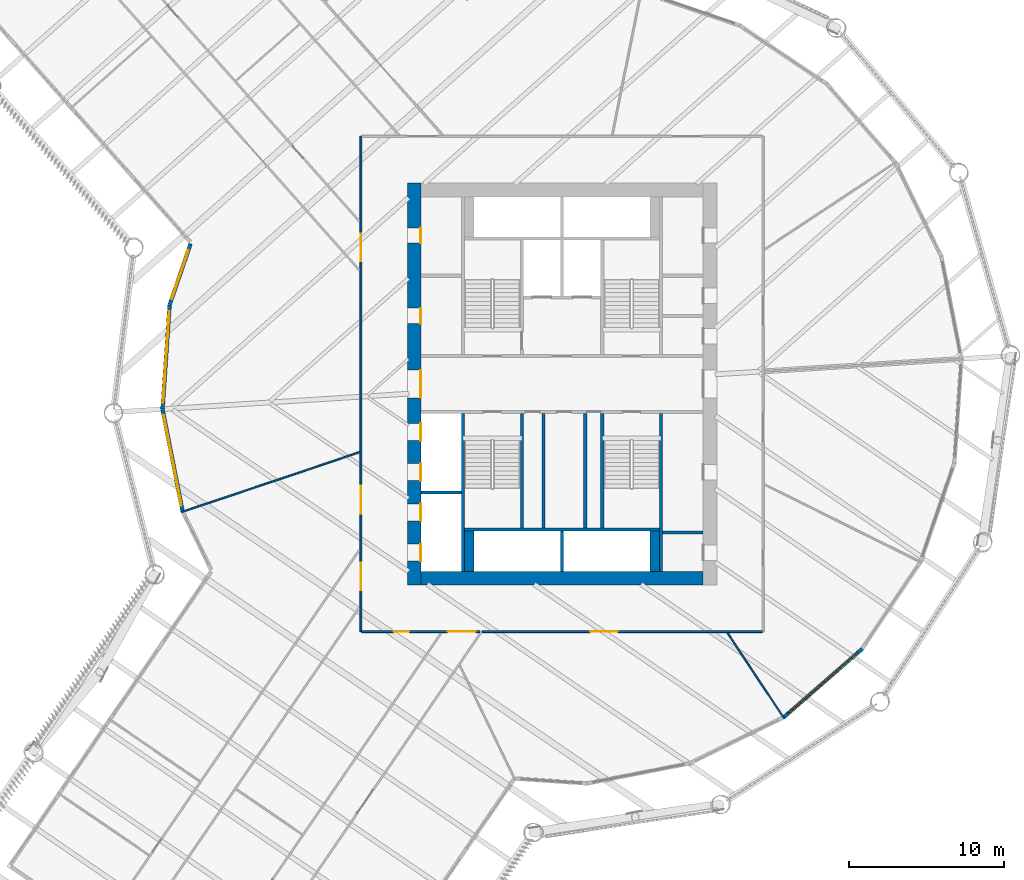
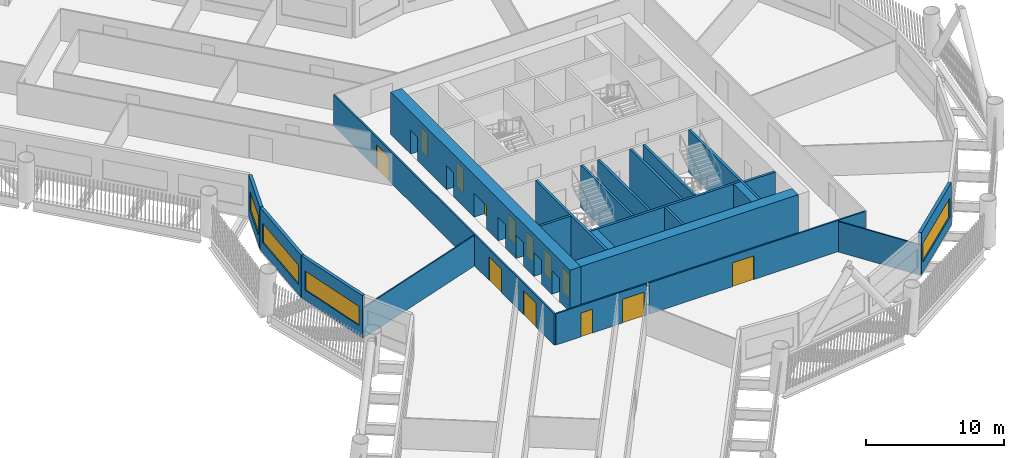
# One storey, part 4 of 22: 23 walls, 13 doors, 4 windows, 17 openings.
"""IFC4 building model written with IfcOpenShell, lengths in metres."""

from ifc_helpers import new_model, si_unit, direction, frame, frame_2d, origin, place, context, subcontext, project, spatial, rectangle, extrude, material, layer, layer_set, type_object, element, fill, save


model = new_model("IFC4")

# Units and contexts
model_context = context("Model", 3, precision=1e-05, world=origin(), true_north=direction((0.0, 1.0)))
body_context = subcontext(model_context, "Body", "Model", "MODEL_VIEW")
ifc_project = project(units=[si_unit("LENGTHUNIT", "METRE"), si_unit("AREAUNIT", "SQUARE_METRE"), si_unit("VOLUMEUNIT", "CUBIC_METRE"), si_unit("PLANEANGLEUNIT", "RADIAN"), si_unit("MASSUNIT", "GRAM", prefix="KILO")], contexts=[model_context])

# Site, building, storey
site_placement = place(None, origin())
site = spatial("IfcSite", under=ifc_project, at=site_placement, CompositionType="ELEMENT")
building_placement = place(site_placement, origin())
building = spatial("IfcBuilding", under=site, at=building_placement, Name="Tarsis Ring Headquarters", CompositionType="ELEMENT")
storey_placement = place(building_placement, frame((0.0, 0.0, 55.60009765625)))
storey = spatial("IfcBuildingStorey", under=building, at=storey_placement, Name="L11", CompositionType="ELEMENT", Elevation=55.60009765625)

# Walls
ifc_material_1 = material(Name="Blockwork", Category="masonry")
ifc_layer_1 = layer(ifc_material_1, 0.199951171875)
ifc_layer_set_1 = layer_set([ifc_layer_1], Name="Core blockwork wall 200")
wall_type_1 = type_object("IfcWallType", Name="Core blockwork wall 200", PredefinedType="PARTITIONING", material=ifc_layer_set_1)
wall_1_placement = place(storey_placement, frame((6.5, -9.60009765625, 0.0), z_axis=(0.0, 0.0, 1.0), x_axis=(1.0, 0.0, 0.0)))
element("IfcWall", 1, at=wall_1_placement, inside=storey, type_object=wall_type_1, Name="Core partition ED1", PredefinedType="PARTITIONING", context=body_context, shape_type="SweptSolid", body=[
    extrude(rectangle(XDim=2.60009765625, YDim=0.199951171875, at=frame_2d((1.300048828125, 0.0))), origin(), (0.0, 0.0, 1.0), 3.739990234375),
])
for number, where, z_axis, x_axis, name in (
    (2, (-1.199951171875, -9.300048828125, 0.0), (0.0, 0.0, 1.0), (0.0, 1.0, 0.0), "Core partition SV1"),
    (3, (1.5, -9.300048828125, 0.0), (0.0, 0.0, 1.0), (0.0, 1.0, 0.0), "Core partition SV2"),
):
    element("IfcWall", number, at=place(storey_placement, frame(where, z_axis=z_axis, x_axis=x_axis)), inside=storey, type_object=wall_type_1, Name=name, PredefinedType="PARTITIONING", context=body_context, shape_type="SweptSolid", body=[
        extrude(rectangle(XDim=7.400146484375, YDim=0.199951171875, at=frame_2d((3.7001953125, 0.0))), origin(), (0.0, 0.0, 1.0), 3.739990234375),
    ])

# Wall, openings, doors
ifc_material_2 = material(Name="Concrete C60/75", Category="concrete")
ifc_layer_2 = layer(ifc_material_2, 0.89990234375)
ifc_layer_set_2 = layer_set([ifc_layer_2], Name="Core wall 900 C60/75")
wall_type_2 = type_object("IfcWallType", Name="Core wall 900 C60/75", PredefinedType="SHEAR", material=ifc_layer_set_2)
wall_2_placement = place(storey_placement, frame((-9.550048828125, -13.0, 0.0), z_axis=(0.0, 0.0, 1.0), x_axis=(0.0, 1.0, 0.0)))
wall_2 = element("IfcWall", 4, at=wall_2_placement, inside=storey, type_object=wall_type_2, Name="Core wall OW", PredefinedType="SHEAR", context=body_context, shape_type="SweptSolid", body=[
    extrude(rectangle(XDim=26.0, YDim=0.89990234375, at=frame_2d((13.0, 0.0))), origin(), (0.0, 0.0, 1.0), 3.739990234375),
])
opening_1_placement = place(wall_2_placement, frame((1.550048828125, 0.0, 0.0)))
opening_1 = element("IfcOpeningElement", 5, at=opening_1_placement, cuts=wall_2, Name="Opening LD-LR1", PredefinedType="OPENING", context=body_context, shape_type="SweptSolid", body=[
    extrude(rectangle(XDim=1.10009765625, YDim=2.10009765625, at=frame_2d((0.550048828125, 1.050048828125))), frame((0.0, 0.4599609375, 0.0), z_axis=(0.0, -1.0, 0.0), x_axis=(1.0, 0.0, 0.0)), (0.0, 0.0, 1.0), 0.919921875),
])
opening_2_placement = place(wall_2_placement, frame((4.14990234375, 0.0, 0.0)))
opening_2 = element("IfcOpeningElement", 6, at=opening_2_placement, cuts=wall_2, Name="Opening LD-LR2", PredefinedType="OPENING", context=body_context, shape_type="SweptSolid", body=[
    extrude(rectangle(XDim=1.10009765625, YDim=2.10009765625, at=frame_2d((0.550048828125, 1.050048828125))), frame((0.0, 0.4599609375, 0.0), z_axis=(0.0, -1.0, 0.0), x_axis=(1.0, 0.0, 0.0)), (0.0, 0.0, 1.0), 0.919921875),
])
opening_3_placement = place(wall_2_placement, frame((6.75, 0.0, 0.0)))
opening_3 = element("IfcOpeningElement", 7, at=opening_3_placement, cuts=wall_2, Name="Opening LD-LR3", PredefinedType="OPENING", context=body_context, shape_type="SweptSolid", body=[
    extrude(rectangle(XDim=1.10009765625, YDim=2.10009765625, at=frame_2d((0.550048828125, 1.050048828125))), frame((0.0, 0.4599609375, 0.0), z_axis=(0.0, -1.0, 0.0), x_axis=(1.0, 0.0, 0.0)), (0.0, 0.0, 1.0), 0.919921875),
])
opening_4_placement = place(wall_2_placement, frame((9.35009765625, 0.0, 0.0)))
opening_4 = element("IfcOpeningElement", 8, at=opening_4_placement, cuts=wall_2, Name="Opening LD-LR4", PredefinedType="OPENING", context=body_context, shape_type="SweptSolid", body=[
    extrude(rectangle(XDim=1.10009765625, YDim=2.10009765625, at=frame_2d((0.550048828125, 1.050048828125))), frame((0.0, 0.4599609375, 0.0), z_axis=(0.0, -1.0, 0.0), x_axis=(1.0, 0.0, 0.0)), (0.0, 0.0, 1.0), 0.919921875),
])
opening_5_placement = place(wall_2_placement, frame((12.10009765625, 0.0, 0.0)))
opening_5 = element("IfcOpeningElement", 9, at=opening_5_placement, cuts=wall_2, Name="Opening L11-C05", PredefinedType="OPENING", context=body_context, shape_type="SweptSolid", body=[
    extrude(rectangle(XDim=1.800048828125, YDim=2.10009765625, at=frame_2d((0.89990234375, 1.050048828125))), frame((0.0, 0.4599609375, 0.0), z_axis=(0.0, -1.0, 0.0), x_axis=(1.0, 0.0, 0.0)), (0.0, 0.0, 1.0), 0.919921875),
])
opening_6_placement = place(wall_2_placement, frame((16.89990234375, 0.0, 0.0)))
opening_6 = element("IfcOpeningElement", 10, at=opening_6_placement, cuts=wall_2, Name="Opening L11-C06", PredefinedType="OPENING", context=body_context, shape_type="SweptSolid", body=[
    extrude(rectangle(XDim=1.0, YDim=2.10009765625, at=frame_2d((0.5, 1.050048828125))), frame((0.0, 0.4599609375, 0.0), z_axis=(0.0, -1.0, 0.0), x_axis=(1.0, 0.0, 0.0)), (0.0, 0.0, 1.0), 0.919921875),
])
opening_7_placement = place(wall_2_placement, frame((22.10009765625, 0.0, 0.0)))
opening_7 = element("IfcOpeningElement", 11, at=opening_7_placement, cuts=wall_2, Name="Opening L11-C07", PredefinedType="OPENING", context=body_context, shape_type="SweptSolid", body=[
    extrude(rectangle(XDim=1.0, YDim=2.10009765625, at=frame_2d((0.5, 1.050048828125))), frame((0.0, 0.4599609375, 0.0), z_axis=(0.0, -1.0, 0.0), x_axis=(1.0, 0.0, 0.0)), (0.0, 0.0, 1.0), 0.919921875),
])
ifc_material_3 = material(Name="Steel S355", Category="steel")
door_type_1 = type_object("IfcDoorType", Name="Core entry door 1800x2100", OperationType="DOUBLE_DOOR_SINGLE_SWING", PredefinedType="DOOR", material=ifc_material_3)
door_1_placement = place(opening_5_placement, origin())
door_1 = element("IfcDoor", 12, at=door_1_placement, inside=storey, type_object=door_type_1, Name="Core entry door L11", OperationType="DOUBLE_DOOR_SINGLE_SWING", OverallHeight=2.10009765625, OverallWidth=1.800048828125, PredefinedType="DOOR", context=body_context, shape_type="SweptSolid", body=[
    extrude(rectangle(XDim=1.800048828125, YDim=2.10009765625, at=frame_2d((0.89990234375, 1.050048828125))), frame((0.0, -0.39990234375, 0.0), z_axis=(0.0, -1.0, 0.0), x_axis=(1.0, 0.0, 0.0)), (0.0, 0.0, 1.0), 0.050048828125),
])
fill(opening_5, door_1)
door_type_2 = type_object("IfcDoorType", Name="Core room door 1000x2100", OperationType="SINGLE_SWING_LEFT", PredefinedType="DOOR", material=ifc_material_3)
door_2_placement = place(opening_6_placement, origin())
door_2 = element("IfcDoor", 13, at=door_2_placement, inside=storey, type_object=door_type_2, Name="Core room door L11", OperationType="SINGLE_SWING_LEFT", OverallHeight=2.10009765625, OverallWidth=1.0, PredefinedType="DOOR", context=body_context, shape_type="SweptSolid", body=[
    extrude(rectangle(XDim=1.0, YDim=2.10009765625, at=frame_2d((0.5, 1.050048828125))), frame((0.0, -0.39990234375, 0.0), z_axis=(0.0, -1.0, 0.0), x_axis=(1.0, 0.0, 0.0)), (0.0, 0.0, 1.0), 0.050048828125),
])
fill(opening_6, door_2)
door_3_placement = place(opening_7_placement, origin())
door_3 = element("IfcDoor", 14, at=door_3_placement, inside=storey, type_object=door_type_2, Name="Core room door L11", OperationType="SINGLE_SWING_LEFT", OverallHeight=2.10009765625, OverallWidth=1.0, PredefinedType="DOOR", context=body_context, shape_type="SweptSolid", body=[
    extrude(rectangle(XDim=1.0, YDim=2.10009765625, at=frame_2d((0.5, 1.050048828125))), frame((0.0, -0.39990234375, 0.0), z_axis=(0.0, -1.0, 0.0), x_axis=(1.0, 0.0, 0.0)), (0.0, 0.0, 1.0), 0.050048828125),
])
fill(opening_7, door_3)
door_type_3 = type_object("IfcDoorType", Name="Landing door 1100x2100", OperationType="SLIDING_TO_LEFT", PredefinedType="DOOR", material=ifc_material_3)
door_4_placement = place(opening_1_placement, origin())
door_4 = element("IfcDoor", 15, at=door_4_placement, inside=storey, type_object=door_type_3, Name="Landing door LR1 L11", OperationType="SLIDING_TO_LEFT", OverallHeight=2.10009765625, OverallWidth=1.10009765625, PredefinedType="DOOR", context=body_context, shape_type="SweptSolid", body=[
    extrude(rectangle(XDim=1.10009765625, YDim=2.10009765625, at=frame_2d((0.550048828125, 1.050048828125))), frame((0.0, -0.39990234375, 0.0), z_axis=(0.0, -1.0, 0.0), x_axis=(1.0, 0.0, 0.0)), (0.0, 0.0, 1.0), 0.050048828125),
])
fill(opening_1, door_4)
door_5_placement = place(opening_2_placement, origin())
door_5 = element("IfcDoor", 16, at=door_5_placement, inside=storey, type_object=door_type_3, Name="Landing door LR2 L11", OperationType="SLIDING_TO_LEFT", OverallHeight=2.10009765625, OverallWidth=1.10009765625, PredefinedType="DOOR", context=body_context, shape_type="SweptSolid", body=[
    extrude(rectangle(XDim=1.10009765625, YDim=2.10009765625, at=frame_2d((0.550048828125, 1.050048828125))), frame((0.0, -0.39990234375, 0.0), z_axis=(0.0, -1.0, 0.0), x_axis=(1.0, 0.0, 0.0)), (0.0, 0.0, 1.0), 0.050048828125),
])
fill(opening_2, door_5)
door_6_placement = place(opening_3_placement, origin())
door_6 = element("IfcDoor", 17, at=door_6_placement, inside=storey, type_object=door_type_3, Name="Landing door LR3 L11", OperationType="SLIDING_TO_LEFT", OverallHeight=2.10009765625, OverallWidth=1.10009765625, PredefinedType="DOOR", context=body_context, shape_type="SweptSolid", body=[
    extrude(rectangle(XDim=1.10009765625, YDim=2.10009765625, at=frame_2d((0.550048828125, 1.050048828125))), frame((0.0, -0.39990234375, 0.0), z_axis=(0.0, -1.0, 0.0), x_axis=(1.0, 0.0, 0.0)), (0.0, 0.0, 1.0), 0.050048828125),
])
fill(opening_3, door_6)
door_7_placement = place(opening_4_placement, origin())
door_7 = element("IfcDoor", 18, at=door_7_placement, inside=storey, type_object=door_type_3, Name="Landing door LR4 L11", OperationType="SLIDING_TO_LEFT", OverallHeight=2.10009765625, OverallWidth=1.10009765625, PredefinedType="DOOR", context=body_context, shape_type="SweptSolid", body=[
    extrude(rectangle(XDim=1.10009765625, YDim=2.10009765625, at=frame_2d((0.550048828125, 1.050048828125))), frame((0.0, -0.39990234375, 0.0), z_axis=(0.0, -1.0, 0.0), x_axis=(1.0, 0.0, 0.0)), (0.0, 0.0, 1.0), 0.050048828125),
])
fill(opening_4, door_7)

# Walls
wall_3_placement = place(storey_placement, frame((-9.10009765625, -12.550048828125, 0.0), z_axis=(0.0, 0.0, 1.0), x_axis=(1.0, 0.0, 0.0)))
element("IfcWall", 19, at=wall_3_placement, inside=storey, type_object=wall_type_2, Name="Core wall OS", PredefinedType="SHEAR", context=body_context, shape_type="SweptSolid", body=[
    extrude(rectangle(XDim=18.2001953125, YDim=0.89990234375, at=frame_2d((9.10009765625, 0.0))), origin(), (0.0, 0.0, 1.0), 3.739990234375),
])
ifc_material_4 = material(Name="Gypsum board on steel studs", Category="steel")
ifc_layer_3 = layer(ifc_material_4, 0.10009765625)
ifc_layer_set_3 = layer_set([ifc_layer_3], Name="FL partition 100 unrated")
wall_type_3 = type_object("IfcWallType", Name="FL partition 100 unrated", PredefinedType="PARTITIONING", material=ifc_layer_set_3)
wall_4_placement = place(storey_placement, frame((-24.592529296875, -8.2763671875, 0.0), z_axis=(0.0, 0.0, 1.0), x_axis=(0.947765181591, 0.318968902189, 0.0)))
element("IfcWall", 20, at=wall_4_placement, inside=storey, type_object=wall_type_3, Name="Partition PW3", PredefinedType="PARTITIONING", context=body_context, shape_type="SweptSolid", body=[
    extrude(rectangle(XDim=12.151611328125, YDim=0.10009765625, at=frame_2d((6.07568359375, 0.0))), origin(), (0.0, 0.0, 1.0), 2.699951171875),
])
wall_5_placement = place(storey_placement, frame((10.685791015625, -16.083251953125, 0.0), z_axis=(0.0, 0.0, 1.0), x_axis=(0.553384016773, -0.832926245223, 0.0)))
element("IfcWall", 21, at=wall_5_placement, inside=storey, type_object=wall_type_3, Name="Partition PW3", PredefinedType="PARTITIONING", context=body_context, shape_type="SweptSolid", body=[
    extrude(rectangle(XDim=6.638427734375, YDim=0.10009765625, at=frame_2d((3.3193359375, 0.0))), origin(), (0.0, 0.0, 1.0), 2.699951171875),
])

# Wall, openings, doors
ifc_layer_4 = layer(ifc_material_4, 0.125)
ifc_layer_set_4 = layer_set([ifc_layer_4], Name="FL partition 125 EI 60 H2770")
wall_type_4 = type_object("IfcWallType", Name="FL partition 125 EI 60 H2770", PredefinedType="PARTITIONING", material=ifc_layer_set_4)
wall_6_placement = place(storey_placement, frame((-13.0, -15.9990234375, 0.0), z_axis=(0.0, 0.0, 1.0), x_axis=(0.0, 1.0, 0.0)))
wall_6 = element("IfcWall", 22, at=wall_6_placement, inside=storey, type_object=wall_type_4, Name="Partition PW1", PredefinedType="PARTITIONING", context=body_context, shape_type="SweptSolid", body=[
    extrude(rectangle(XDim=31.998046875, YDim=0.125, at=frame_2d((15.9990234375, 0.0))), origin(), (0.0, 0.0, 1.0), 2.77001953125),
])
opening_8_placement = place(wall_6_placement, frame((7.622314453125, 0.0, 0.0)))
opening_8 = element("IfcOpeningElement", 23, at=opening_8_placement, cuts=wall_6, Name="Opening D11.13", PredefinedType="OPENING", context=body_context, shape_type="SweptSolid", body=[
    extrude(rectangle(XDim=1.800048828125, YDim=2.10009765625, at=frame_2d((0.89990234375, 1.050048828125))), frame((0.0, 0.072509765625, 0.0), z_axis=(0.0, -1.0, 0.0), x_axis=(1.0, 0.0, 0.0)), (0.0, 0.0, 1.0), 0.14501953125),
])
opening_9_placement = place(wall_6_placement, frame((2.662109375, 0.0, 0.0)))
opening_9 = element("IfcOpeningElement", 24, at=opening_9_placement, cuts=wall_6, Name="Opening D11.19", PredefinedType="OPENING", context=body_context, shape_type="SweptSolid", body=[
    extrude(rectangle(XDim=1.800048828125, YDim=2.10009765625, at=frame_2d((0.89990234375, 1.050048828125))), frame((0.0, 0.072509765625, 0.0), z_axis=(0.0, -1.0, 0.0), x_axis=(1.0, 0.0, 0.0)), (0.0, 0.0, 1.0), 0.14501953125),
])
opening_10_placement = place(wall_6_placement, frame((23.927490234375, 0.0, 0.0)))
opening_10 = element("IfcOpeningElement", 25, at=opening_10_placement, cuts=wall_6, Name="Opening D11.21", PredefinedType="OPENING", context=body_context, shape_type="SweptSolid", body=[
    extrude(rectangle(XDim=1.800048828125, YDim=2.10009765625, at=frame_2d((0.89990234375, 1.050048828125))), frame((0.0, 0.072509765625, 0.0), z_axis=(0.0, -1.0, 0.0), x_axis=(1.0, 0.0, 0.0)), (0.0, 0.0, 1.0), 0.14501953125),
])
ifc_material_5 = material(Name="Fire-rated timber door leaf in steel frame", Category="steel")
door_type_4 = type_object("IfcDoorType", Name="FL door FD60-1800", OperationType="DOUBLE_DOOR_SINGLE_SWING", PredefinedType="DOOR", material=ifc_material_5)
door_8_placement = place(opening_8_placement, origin())
door_8 = element("IfcDoor", 26, at=door_8_placement, inside=storey, type_object=door_type_4, Name="Door D11.13", OperationType="DOUBLE_DOOR_SINGLE_SWING", OverallHeight=2.10009765625, OverallWidth=1.800048828125, PredefinedType="DOOR", context=body_context, shape_type="SweptSolid", body=[
    extrude(rectangle(XDim=1.800048828125, YDim=2.10009765625, at=frame_2d((0.89990234375, 1.050048828125))), frame((0.0, 0.02490234375, 0.0), z_axis=(0.0, -1.0, 0.0), x_axis=(1.0, 0.0, 0.0)), (0.0, 0.0, 1.0), 0.050048828125),
])
fill(opening_8, door_8)
door_9_placement = place(opening_9_placement, origin())
door_9 = element("IfcDoor", 27, at=door_9_placement, inside=storey, type_object=door_type_4, Name="Door D11.19", OperationType="DOUBLE_DOOR_SINGLE_SWING", OverallHeight=2.10009765625, OverallWidth=1.800048828125, PredefinedType="DOOR", context=body_context, shape_type="SweptSolid", body=[
    extrude(rectangle(XDim=1.800048828125, YDim=2.10009765625, at=frame_2d((0.89990234375, 1.050048828125))), frame((0.0, 0.02490234375, 0.0), z_axis=(0.0, -1.0, 0.0), x_axis=(1.0, 0.0, 0.0)), (0.0, 0.0, 1.0), 0.050048828125),
])
fill(opening_9, door_9)
door_10_placement = place(opening_10_placement, origin())
door_10 = element("IfcDoor", 28, at=door_10_placement, inside=storey, type_object=door_type_4, Name="Door D11.21", OperationType="DOUBLE_DOOR_SINGLE_SWING", OverallHeight=2.10009765625, OverallWidth=1.800048828125, PredefinedType="DOOR", context=body_context, shape_type="SweptSolid", body=[
    extrude(rectangle(XDim=1.800048828125, YDim=2.10009765625, at=frame_2d((0.89990234375, 1.050048828125))), frame((0.0, 0.02490234375, 0.0), z_axis=(0.0, -1.0, 0.0), x_axis=(1.0, 0.0, 0.0)), (0.0, 0.0, 1.0), 0.050048828125),
])
fill(opening_10, door_10)

wall_7_placement = place(storey_placement, frame((-12.93896484375, -16.0, 0.0), z_axis=(0.0, 0.0, 1.0), x_axis=(1.0, 0.0, 0.0)))
wall_7 = element("IfcWall", 29, at=wall_7_placement, inside=storey, type_object=wall_type_4, Name="Partition PW1", PredefinedType="PARTITIONING", context=body_context, shape_type="SweptSolid", body=[
    extrude(rectangle(XDim=7.621826171875, YDim=0.125, at=frame_2d((3.81103515625, 0.0))), origin(), (0.0, 0.0, 1.0), 2.77001953125),
])
opening_11_placement = place(wall_7_placement, frame((2.067626953125, 0.0, 0.0)))
opening_11 = element("IfcOpeningElement", 30, at=opening_11_placement, cuts=wall_7, Name="Opening D11.17", PredefinedType="OPENING", context=body_context, shape_type="SweptSolid", body=[
    extrude(rectangle(XDim=1.0, YDim=2.10009765625, at=frame_2d((0.5, 1.050048828125))), frame((0.0, 0.072509765625, 0.0), z_axis=(0.0, -1.0, 0.0), x_axis=(1.0, 0.0, 0.0)), (0.0, 0.0, 1.0), 0.14501953125),
])
opening_12_placement = place(wall_7_placement, frame((5.56787109375, 0.0, 0.0)))
opening_12 = element("IfcOpeningElement", 31, at=opening_12_placement, cuts=wall_7, Name="Opening D11.20", PredefinedType="OPENING", context=body_context, shape_type="SweptSolid", body=[
    extrude(rectangle(XDim=1.800048828125, YDim=2.10009765625, at=frame_2d((0.89990234375, 1.050048828125))), frame((0.0, 0.072509765625, 0.0), z_axis=(0.0, -1.0, 0.0), x_axis=(1.0, 0.0, 0.0)), (0.0, 0.0, 1.0), 0.14501953125),
])
door_type_5 = type_object("IfcDoorType", Name="FL door FD60-1000", OperationType="NOTDEFINED", PredefinedType="DOOR", material=ifc_material_5)
door_11_placement = place(opening_11_placement, origin())
door_11 = element("IfcDoor", 32, at=door_11_placement, inside=storey, type_object=door_type_5, Name="Door D11.17", OperationType="SINGLE_SWING_RIGHT", OverallHeight=2.10009765625, OverallWidth=1.0, PredefinedType="DOOR", context=body_context, shape_type="SweptSolid", body=[
    extrude(rectangle(XDim=1.0, YDim=2.10009765625, at=frame_2d((0.5, 1.050048828125))), frame((0.0, 0.02490234375, 0.0), z_axis=(0.0, -1.0, 0.0), x_axis=(1.0, 0.0, 0.0)), (0.0, 0.0, 1.0), 0.050048828125),
])
fill(opening_11, door_11)
door_12_placement = place(opening_12_placement, origin())
door_12 = element("IfcDoor", 33, at=door_12_placement, inside=storey, type_object=door_type_4, Name="Door D11.20", OperationType="DOUBLE_DOOR_SINGLE_SWING", OverallHeight=2.10009765625, OverallWidth=1.800048828125, PredefinedType="DOOR", context=body_context, shape_type="SweptSolid", body=[
    extrude(rectangle(XDim=1.800048828125, YDim=2.10009765625, at=frame_2d((0.89990234375, 1.050048828125))), frame((0.0, 0.02490234375, 0.0), z_axis=(0.0, -1.0, 0.0), x_axis=(1.0, 0.0, 0.0)), (0.0, 0.0, 1.0), 0.050048828125),
])
fill(opening_12, door_12)

# Wall, opening, door
wall_8_placement = place(storey_placement, frame((-5.147216796875, -16.0, 0.0), z_axis=(0.0, 0.0, 1.0), x_axis=(1.0, 0.0, 0.0)))
wall_8 = element("IfcWall", 34, at=wall_8_placement, inside=storey, type_object=wall_type_4, Name="Partition PW1", PredefinedType="PARTITIONING", context=body_context, shape_type="SweptSolid", body=[
    extrude(rectangle(XDim=18.087158203125, YDim=0.125, at=frame_2d((9.04345703125, 0.0))), origin(), (0.0, 0.0, 1.0), 2.77001953125),
])
opening_13_placement = place(wall_8_placement, frame((6.962890625, 0.0, 0.0)))
opening_13 = element("IfcOpeningElement", 35, at=opening_13_placement, cuts=wall_8, Name="Opening D11.09", PredefinedType="OPENING", context=body_context, shape_type="SweptSolid", body=[
    extrude(rectangle(XDim=1.800048828125, YDim=2.10009765625, at=frame_2d((0.89990234375, 1.050048828125))), frame((0.0, 0.072509765625, 0.0), z_axis=(0.0, -1.0, 0.0), x_axis=(1.0, 0.0, 0.0)), (0.0, 0.0, 1.0), 0.14501953125),
])
door_13_placement = place(opening_13_placement, origin())
door_13 = element("IfcDoor", 36, at=door_13_placement, inside=storey, type_object=door_type_4, Name="Door D11.09", OperationType="DOUBLE_DOOR_SINGLE_SWING", OverallHeight=2.10009765625, OverallWidth=1.800048828125, PredefinedType="DOOR", context=body_context, shape_type="SweptSolid", body=[
    extrude(rectangle(XDim=1.800048828125, YDim=2.10009765625, at=frame_2d((0.89990234375, 1.050048828125))), frame((0.0, 0.02490234375, 0.0), z_axis=(0.0, -1.0, 0.0), x_axis=(1.0, 0.0, 0.0)), (0.0, 0.0, 1.0), 0.050048828125),
])
fill(opening_13, door_13)

# Wall, opening, window
ifc_material_6 = material(Name="Terracotta clad insulated panel wall", Category="masonry")
ifc_layer_5 = layer(ifc_material_6, 0.25)
ifc_layer_set_5 = layer_set([ifc_layer_5], Name="Facade wall terracotta panel 250")
wall_type_5 = type_object("IfcWallType", Name="Facade wall terracotta panel 250", PredefinedType="STANDARD", material=ifc_layer_set_5)
wall_9_placement = place(storey_placement, frame((-24.011474609375, 9.063232421875, 0.0), z_axis=(0.0, 0.0, 1.0), x_axis=(-0.323897940795, -0.946092027209, 0.0)))
wall_9 = element("IfcWall", 37, at=wall_9_placement, inside=storey, type_object=wall_type_5, Name="External wall L11-02", PredefinedType="STANDARD", context=body_context, shape_type="SweptSolid", body=[
    extrude(rectangle(XDim=4.15771484375, YDim=0.25, at=frame_2d((2.078857421875, 0.0))), origin(), (0.0, 0.0, 1.0), 3.739990234375),
])
opening_14_placement = place(wall_9_placement, frame((0.420166015625, 0.0, 0.89990234375)))
opening_14 = element("IfcOpeningElement", 38, at=opening_14_placement, cuts=wall_9, Name="Opening WN01", PredefinedType="OPENING", context=body_context, shape_type="SweptSolid", body=[
    extrude(rectangle(XDim=3.35009765625, YDim=1.699951171875, at=frame_2d((1.675048828125, 0.85009765625))), frame((0.0, 0.135009765625, 0.0), z_axis=(0.0, -1.0, 0.0), x_axis=(1.0, 0.0, 0.0)), (0.0, 0.0, 1.0), 0.27001953125),
])
ifc_material_7 = material(Name="Aluminium framed double glazing", Category="aluminium")
window_type_1 = type_object("IfcWindowType", Name="Facade window 3350 x 1700", PartitioningType="SINGLE_PANEL", PredefinedType="WINDOW", material=ifc_material_7)
window_1_placement = place(opening_14_placement, origin())
window_1 = element("IfcWindow", 39, at=window_1_placement, inside=storey, type_object=window_type_1, Name="Window L11-02.1", OverallHeight=1.699951171875, OverallWidth=3.35009765625, PartitioningType="SINGLE_PANEL", PredefinedType="WINDOW", context=body_context, shape_type="SweptSolid", body=[
    extrude(rectangle(XDim=3.35009765625, YDim=1.699951171875, at=frame_2d((1.675048828125, 0.85009765625))), frame((0.0, 0.030029296875, 0.0), z_axis=(0.0, -1.0, 0.0), x_axis=(1.0, 0.0, 0.0)), (0.0, 0.0, 1.0), 0.06005859375),
])
fill(opening_14, window_1)

wall_10_placement = place(storey_placement, frame((-25.364501953125, 5.09765625, 0.0), z_axis=(0.0, 0.0, 1.0), x_axis=(-0.068032926859, -0.997683076364, 0.0)))
wall_10 = element("IfcWall", 40, at=wall_10_placement, inside=storey, type_object=wall_type_5, Name="External wall L11-03", PredefinedType="STANDARD", context=body_context, shape_type="SweptSolid", body=[
    extrude(rectangle(XDim=6.721435546875, YDim=0.25, at=frame_2d((3.36083984375, 0.0))), origin(), (0.0, 0.0, 1.0), 3.739990234375),
])
opening_15_placement = place(wall_10_placement, frame((0.3857421875, 0.0, 0.89990234375)))
opening_15 = element("IfcOpeningElement", 41, at=opening_15_placement, cuts=wall_10, Name="Opening WN07", PredefinedType="OPENING", context=body_context, shape_type="SweptSolid", body=[
    extrude(rectangle(XDim=5.949951171875, YDim=1.699951171875, at=frame_2d((2.97509765625, 0.85009765625))), frame((0.0, 0.135009765625, 0.0), z_axis=(0.0, -1.0, 0.0), x_axis=(1.0, 0.0, 0.0)), (0.0, 0.0, 1.0), 0.27001953125),
])
window_type_2 = type_object("IfcWindowType", Name="Facade window 5950 x 1700", PartitioningType="SINGLE_PANEL", PredefinedType="WINDOW", material=ifc_material_7)
window_2_placement = place(opening_15_placement, origin())
window_2 = element("IfcWindow", 42, at=window_2_placement, inside=storey, type_object=window_type_2, Name="Window L11-03.1", OverallHeight=1.699951171875, OverallWidth=5.949951171875, PartitioningType="SINGLE_PANEL", PredefinedType="WINDOW", context=body_context, shape_type="SweptSolid", body=[
    extrude(rectangle(XDim=5.949951171875, YDim=1.699951171875, at=frame_2d((2.97509765625, 0.85009765625))), frame((0.0, 0.030029296875, 0.0), z_axis=(0.0, -1.0, 0.0), x_axis=(1.0, 0.0, 0.0)), (0.0, 0.0, 1.0), 0.06005859375),
])
fill(opening_15, window_2)

wall_11_placement = place(storey_placement, frame((-25.819580078125, -1.640869140625, 0.0), z_axis=(0.0, 0.0, 1.0), x_axis=(0.192510477684, -0.981294917944, 0.0)))
wall_11 = element("IfcWall", 43, at=wall_11_placement, inside=storey, type_object=wall_type_5, Name="External wall L11-04", PredefinedType="STANDARD", context=body_context, shape_type="SweptSolid", body=[
    extrude(rectangle(XDim=6.721435546875, YDim=0.25, at=frame_2d((3.36083984375, 0.0))), origin(), (0.0, 0.0, 1.0), 3.739990234375),
])
opening_16_placement = place(wall_11_placement, frame((0.3857421875, 0.0, 0.89990234375)))
opening_16 = element("IfcOpeningElement", 44, at=opening_16_placement, cuts=wall_11, Name="Opening WN07", PredefinedType="OPENING", context=body_context, shape_type="SweptSolid", body=[
    extrude(rectangle(XDim=5.949951171875, YDim=1.699951171875, at=frame_2d((2.97509765625, 0.85009765625))), frame((0.0, 0.135009765625, 0.0), z_axis=(0.0, -1.0, 0.0), x_axis=(1.0, 0.0, 0.0)), (0.0, 0.0, 1.0), 0.27001953125),
])
window_3_placement = place(opening_16_placement, origin())
window_3 = element("IfcWindow", 45, at=window_3_placement, inside=storey, type_object=window_type_2, Name="Window L11-04.1", OverallHeight=1.699951171875, OverallWidth=5.949951171875, PartitioningType="SINGLE_PANEL", PredefinedType="WINDOW", context=body_context, shape_type="SweptSolid", body=[
    extrude(rectangle(XDim=5.949951171875, YDim=1.699951171875, at=frame_2d((2.97509765625, 0.85009765625))), frame((0.0, 0.030029296875, 0.0), z_axis=(0.0, -1.0, 0.0), x_axis=(1.0, 0.0, 0.0)), (0.0, 0.0, 1.0), 0.06005859375),
])
fill(opening_16, window_3)

wall_12_placement = place(storey_placement, frame((14.330810546875, -21.5400390625, 0.0), z_axis=(0.0, 0.0, 1.0), x_axis=(0.753577096545, 0.657359535994, 0.0)))
wall_12 = element("IfcWall", 46, at=wall_12_placement, inside=storey, type_object=wall_type_5, Name="External wall L11-20", PredefinedType="STANDARD", context=body_context, shape_type="SweptSolid", body=[
    extrude(rectangle(XDim=6.721435546875, YDim=0.25, at=frame_2d((3.36083984375, 0.0))), origin(), (0.0, 0.0, 1.0), 3.739990234375),
])
opening_17_placement = place(wall_12_placement, frame((0.3857421875, 0.0, 0.89990234375)))
opening_17 = element("IfcOpeningElement", 47, at=opening_17_placement, cuts=wall_12, Name="Opening WN07", PredefinedType="OPENING", context=body_context, shape_type="SweptSolid", body=[
    extrude(rectangle(XDim=5.949951171875, YDim=1.699951171875, at=frame_2d((2.97509765625, 0.85009765625))), frame((0.0, 0.135009765625, 0.0), z_axis=(0.0, -1.0, 0.0), x_axis=(1.0, 0.0, 0.0)), (0.0, 0.0, 1.0), 0.27001953125),
])
window_4_placement = place(opening_17_placement, origin())
window_4 = element("IfcWindow", 48, at=window_4_placement, inside=storey, type_object=window_type_2, Name="Window L11-20.1", OverallHeight=1.699951171875, OverallWidth=5.949951171875, PartitioningType="SINGLE_PANEL", PredefinedType="WINDOW", context=body_context, shape_type="SweptSolid", body=[
    extrude(rectangle(XDim=5.949951171875, YDim=1.699951171875, at=frame_2d((2.97509765625, 0.85009765625))), frame((0.0, 0.030029296875, 0.0), z_axis=(0.0, -1.0, 0.0), x_axis=(1.0, 0.0, 0.0)), (0.0, 0.0, 1.0), 0.06005859375),
])
fill(opening_17, window_4)

# Walls
ifc_material_8 = material(Name="Concrete C32/40", Category="concrete")
ifc_layer_6 = layer(ifc_material_8, 0.60009765625)
ifc_layer_set_6 = layer_set([ifc_layer_6], Name="Shaft end wall 600 C32/40")
wall_type_6 = type_object("IfcWallType", Name="Shaft end wall 600 C32/40", PredefinedType="SOLIDWALL", material=ifc_layer_set_6)
for number, where, z_axis, x_axis, name in (
    (49, (-6.0, -12.10009765625, 0.0), (0.0, 0.0, 1.0), (0.0, 1.0, 0.0), "Core shaft wall SNE1"),
    (50, (6.0, -12.10009765625, 0.0), (0.0, 0.0, 1.0), (0.0, 1.0, 0.0), "Core shaft wall SNE2"),
):
    element("IfcWall", number, at=place(storey_placement, frame(where, z_axis=z_axis, x_axis=x_axis)), inside=storey, type_object=wall_type_6, Name=name, PredefinedType="SOLIDWALL", context=body_context, shape_type="SweptSolid", body=[
        extrude(rectangle(XDim=2.60009765625, YDim=0.60009765625, at=frame_2d((1.300048828125, 0.0))), origin(), (0.0, 0.0, 1.0), 3.739990234375),
    ])
ifc_layer_7 = layer(ifc_material_8, 0.199951171875)
ifc_layer_set_7 = layer_set([ifc_layer_7], Name="Shaft wall 200 C32/40")
wall_type_7 = type_object("IfcWallType", Name="Shaft wall 200 C32/40", PredefinedType="SOLIDWALL", material=ifc_layer_set_7)
for number, where, z_axis, x_axis, name in (
    (51, (-6.39990234375, -12.10009765625, 0.0), (0.0, 0.0, 1.0), (0.0, 1.0, 0.0), "Core shaft wall WB1"),
    (52, (6.39990234375, -12.10009765625, 0.0), (0.0, 0.0, 1.0), (0.0, 1.0, 0.0), "Core shaft wall EB1"),
):
    element("IfcWall", number, at=place(storey_placement, frame(where, z_axis=z_axis, x_axis=x_axis)), inside=storey, type_object=wall_type_7, Name=name, PredefinedType="SOLIDWALL", context=body_context, shape_type="SweptSolid", body=[
        extrude(rectangle(XDim=10.2001953125, YDim=0.199951171875, at=frame_2d((5.10009765625, 0.0))), origin(), (0.0, 0.0, 1.0), 3.739990234375),
    ])
wall_13_placement = place(storey_placement, frame((-6.300048828125, -9.39990234375, 0.0), z_axis=(0.0, 0.0, 1.0), x_axis=(1.0, 0.0, 0.0)))
element("IfcWall", 53, at=wall_13_placement, inside=storey, type_object=wall_type_7, Name="Core shaft wall SB", PredefinedType="SOLIDWALL", context=body_context, shape_type="SweptSolid", body=[
    extrude(rectangle(XDim=12.60009765625, YDim=0.199951171875, at=frame_2d((6.300048828125, 0.0))), origin(), (0.0, 0.0, 1.0), 3.739990234375),
])
for number, where, z_axis, x_axis, name in (
    (54, (-2.60009765625, -9.300048828125, 0.0), (0.0, 0.0, 1.0), (0.0, 1.0, 0.0), "Core shaft wall SW3"),
    (55, (2.60009765625, -9.300048828125, 0.0), (0.0, 0.0, 1.0), (0.0, 1.0, 0.0), "Core shaft wall SW4"),
):
    element("IfcWall", number, at=place(storey_placement, frame(where, z_axis=z_axis, x_axis=x_axis)), inside=storey, type_object=wall_type_7, Name=name, PredefinedType="SOLIDWALL", context=body_context, shape_type="SweptSolid", body=[
        extrude(rectangle(XDim=7.400146484375, YDim=0.199951171875, at=frame_2d((3.7001953125, 0.0))), origin(), (0.0, 0.0, 1.0), 3.739990234375),
    ])
for number, where, z_axis, x_axis, name in (
    (56, (-9.10009765625, -7.0, 0.0), (0.0, 0.0, 1.0), (1.0, 0.0, 0.0), "Core shaft wall WD2"),
    (57, (0.0, -12.10009765625, 0.0), (0.0, 0.0, 1.0), (0.0, 1.0, 0.0), "Core shaft wall SD2"),
):
    element("IfcWall", number, at=place(storey_placement, frame(where, z_axis=z_axis, x_axis=x_axis)), inside=storey, type_object=wall_type_7, Name=name, PredefinedType="SOLIDWALL", context=body_context, shape_type="SweptSolid", body=[
        extrude(rectangle(XDim=2.60009765625, YDim=0.199951171875, at=frame_2d((1.300048828125, 0.0))), origin(), (0.0, 0.0, 1.0), 3.739990234375),
    ])

save(model, "model.ifc")
